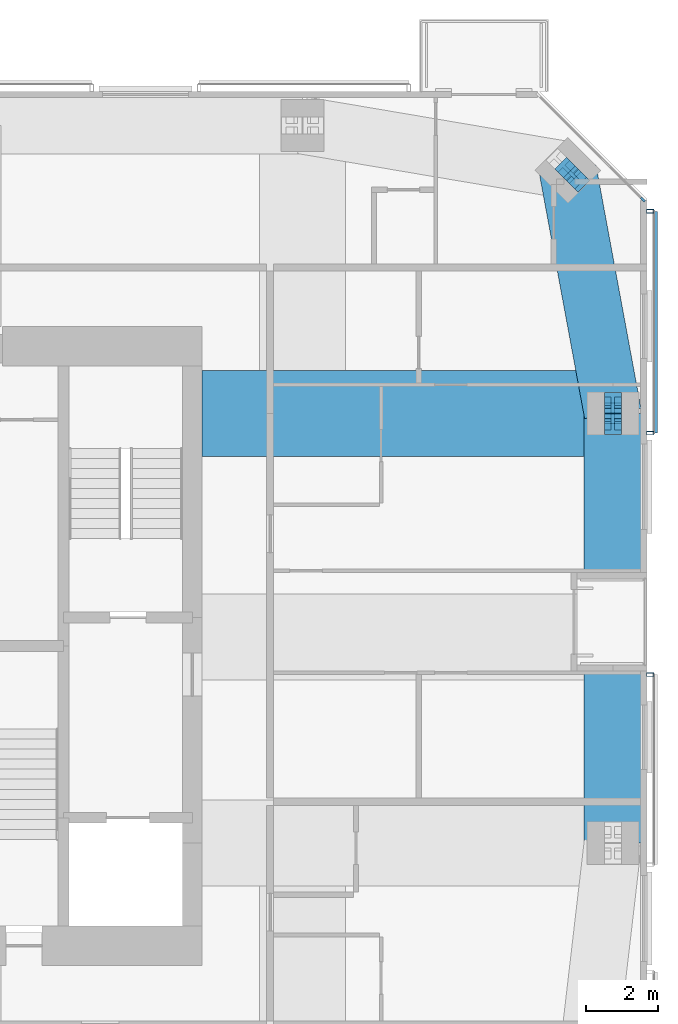
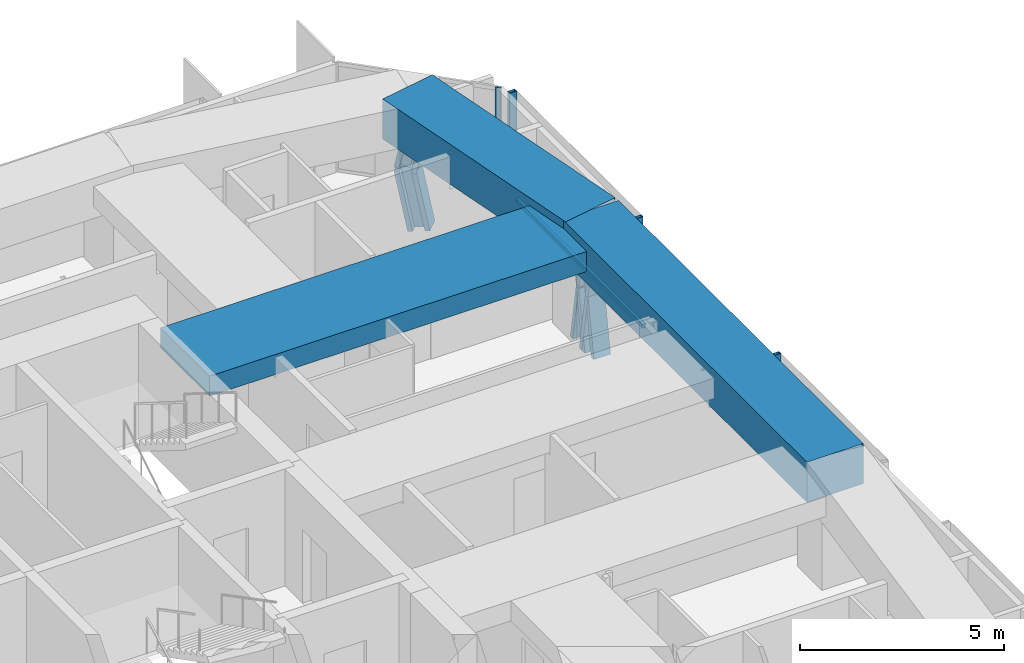
# One storey, part 9 of 20: 11 members, 3 beams, 3 elements without a shape of their own.
"""IFC4 building model written with IfcOpenShell, lengths in metres."""

from ifc_helpers import new_model, si_unit, direction, frame, origin, origin_2d, place, context, subcontext, project, spatial, rectangle, hollow_rectangle, i_section, extrude, material, material_profile, profile_set, type_object, element, aggregate, save


model = new_model("IFC4")

# Units and contexts
model_context = context("Model", 3, precision=1e-05, world=origin(), true_north=direction((0.0, 1.0)))
body_context = subcontext(model_context, "Body", "Model", "MODEL_VIEW")
ifc_project = project(units=[si_unit("LENGTHUNIT", "METRE"), si_unit("AREAUNIT", "SQUARE_METRE"), si_unit("VOLUMEUNIT", "CUBIC_METRE"), si_unit("PLANEANGLEUNIT", "RADIAN"), si_unit("MASSUNIT", "GRAM", prefix="KILO")], contexts=[model_context])

# Site, building, storey
site_placement = place(None, origin())
site = spatial("IfcSite", under=ifc_project, at=site_placement, CompositionType="ELEMENT")
building_placement = place(site_placement, origin())
building = spatial("IfcBuilding", under=site, at=building_placement, Name="Jalousie Tower", CompositionType="ELEMENT")
storey_placement = place(building_placement, frame((0.0, 0.0, 238.949951171875)))
storey = spatial("IfcBuildingStorey", under=building, at=storey_placement, Name="L65", CompositionType="ELEMENT", Elevation=238.949951171875)

# Curtain wall, member
ifc_material_1 = material(Name="Aluminium curtain wall", Category="aluminium")
curtain_wall_type_1 = type_object("IfcCurtainWallType", Name="CORNER WINDOW WALL", PredefinedType="USERDEFINED", material=ifc_material_1)
curtain_wall_1_placement = place(storey_placement, origin())
curtain_wall_1 = element("IfcCurtainWall", 1, at=curtain_wall_1_placement, inside=storey, type_object=curtain_wall_type_1, Name="Corner Window Wall L65 4", ObjectType="CORNER WINDOW WALL", PredefinedType="USERDEFINED")
ifc_material_2 = material(Name="Aluminium mullion", Category="aluminium")
ifc_material_profile_1 = material_profile(ifc_material_2, rectangle(XDim=0.06005859375, YDim=0.14990234375, at=origin_2d()), Name="MULLION 60x150")
ifc_profile_set_1 = profile_set([ifc_material_profile_1], Name="Aluminium mullion")
member_type_1 = type_object("IfcMemberType", Name="CORNER WINDOW WALL MULLION", PredefinedType="MULLION", material=ifc_profile_set_1)
member_1_placement = place(storey_placement, frame((56.391357421875, 30.969970703125, 0.0), z_axis=(0.0, 0.0, 1.0), x_axis=(-0.707106781187, -0.707106781187, 0.0)))
member_1 = element("IfcMember", 2, at=member_1_placement, type_object=member_type_1, Name="CW-C mullion 1", PredefinedType="MULLION", context=body_context, shape_type="SweptSolid", body=[
    extrude(rectangle(XDim=0.06005859375, YDim=0.14990234375, at=origin_2d()), origin(), (0.0, 0.0, 1.0), 3.260009765625),
])
aggregate(curtain_wall_1, [member_1])

# Members
ifc_material_3 = material(Name="Steel ASTM A992 Grade 50", Category="steel")
ifc_material_profile_2 = material_profile(ifc_material_3, i_section(OverallWidth=0.472412109375, OverallDepth=0.5791015625, WebThickness=0.094970703125, FlangeThickness=0.1298828125, at=origin_2d()), Name="W14X808")
ifc_profile_set_2 = profile_set([ifc_material_profile_2], Name="Steel ASTM A992 Grade 50")
member_type_2 = type_object("IfcMemberType", Name="PERIMETER BRACE W14X808", PredefinedType="BRACE", material=ifc_profile_set_2)
for number, where, z_axis, x_axis, name in (
    (3, (55.550048828125, 24.699951171875, -0.599853515625), (0.0, 0.168990530437, 0.98561767467), (-1.0, 0.0, 0.0), "Perimeter brace 07 L65 part 1"),
    (4, (55.550048828125, 25.0, 1.150146484375), (0.0, 0.168990530437, 0.98561767467), (-1.0, 0.0, 0.0), "Perimeter brace 07 L65 part 2"),
    (5, (55.550048828125, 25.300048828125, -0.599853515625), (0.0, -0.168990530437, 0.98561767467), (1.0, 0.0, 0.0), "Perimeter brace 07 L65 part 3"),
    (6, (55.550048828125, 25.0, 1.150146484375), (0.0, -0.168990530437, 0.98561767467), (1.0, 0.0, 0.0), "Perimeter brace 07 L65 part 4"),
):
    element("IfcMember", number, at=place(storey_placement, frame(where, z_axis=z_axis, x_axis=x_axis)), inside=storey, type_object=member_type_2, Name=name, PredefinedType="BRACE", context=body_context, shape_type="SweptSolid", body=[
        extrude(i_section(OverallWidth=0.472412109375, OverallDepth=0.5791015625, WebThickness=0.094970703125, FlangeThickness=0.1298828125, at=origin_2d()), origin(), (0.0, 0.0, 1.0), 1.775634765625),
    ])
for number, where, z_axis, x_axis, name in (
    (7, (54.540283203125, 31.54541015625, -0.599853515625), (-0.138579250682, 0.138716051522, 0.980588419435), (-0.707455539091, -0.706757851183, 0.0), "Perimeter brace 08 L65 part 1"),
    (8, (54.29296875, 31.79296875, 1.150146484375), (0.138579250682, -0.138716051522, 0.980588419435), (0.707455539091, 0.706757851183, 0.0), "Perimeter brace 08 L65 part 4"),
):
    element("IfcMember", number, at=place(storey_placement, frame(where, z_axis=z_axis, x_axis=x_axis)), inside=storey, type_object=member_type_2, Name=name, PredefinedType="BRACE", context=body_context, shape_type="SweptSolid", body=[
        extrude(i_section(OverallWidth=0.472412109375, OverallDepth=0.5791015625, WebThickness=0.094970703125, FlangeThickness=0.1298828125, at=origin_2d()), origin(), (0.0, 0.0, 1.0), 1.78466796875),
    ])

# Beams
ifc_material_4 = material(Name="Concrete f'c 40 MPa", Category="concrete")
ifc_material_profile_3 = material_profile(ifc_material_4, rectangle(XDim=1.60009765625, YDim=1.199951171875, at=origin_2d()), Name="RC 1600x1200")
ifc_profile_set_3 = profile_set([ifc_material_profile_3], Name="Concrete f'c 40 MPa")
beam_type_1 = type_object("IfcBeamType", Name="RC BEAM 1600x1200", PredefinedType="BEAM", material=ifc_profile_set_3)
beam_1_placement = place(storey_placement, frame((55.550048828125, 13.0, 2.900146484375), z_axis=(0.0, 1.0, 0.0), x_axis=(-1.0, 0.0, 0.0)))
element("IfcBeam", 9, at=beam_1_placement, inside=storey, type_object=beam_type_1, Name="Edge band beam 06-07 under L66", PredefinedType="BEAM", context=body_context, shape_type="SweptSolid", body=[
    extrude(rectangle(XDim=1.60009765625, YDim=1.199951171875, at=origin_2d()), origin(), (0.0, 0.0, 1.0), 12.0),
])
beam_2_placement = place(storey_placement, frame((55.550048828125, 25.0, 2.900146484375), z_axis=(-0.181966505593, 0.983304729391, 0.0), x_axis=(-0.983304729391, -0.181966505593, 0.0)))
element("IfcBeam", 10, at=beam_2_placement, inside=storey, type_object=beam_type_1, Name="Edge band beam 07-08 under L66", PredefinedType="BEAM", context=body_context, shape_type="SweptSolid", body=[
    extrude(rectangle(XDim=1.60009765625, YDim=1.199951171875, at=origin_2d()), origin(), (0.0, 0.0, 1.0), 6.908203125),
])
ifc_material_5 = material(Name="Concrete f'c 40 MPa", Category="concrete")
ifc_material_profile_4 = material_profile(ifc_material_5, rectangle(XDim=2.39990234375, YDim=0.60009765625, at=origin_2d()), Name="RC 2400x600")
ifc_profile_set_4 = profile_set([ifc_material_profile_4], Name="Concrete f'c 40 MPa")
beam_type_2 = type_object("IfcBeamType", Name="RC BEAM 2400x600", PredefinedType="BEAM", material=ifc_profile_set_4)
beam_3_placement = place(storey_placement, frame((55.550048828125, 25.0, 2.9599609375), z_axis=(-1.0, 0.0, 0.0), x_axis=(0.0, -1.0, 0.0)))
element("IfcBeam", 11, at=beam_3_placement, inside=storey, type_object=beam_type_2, Name="Floor band beam under L66", PredefinedType="BEAM", context=body_context, shape_type="SweptSolid", body=[
    extrude(rectangle(XDim=2.39990234375, YDim=0.60009765625, at=origin_2d()), origin(), (0.0, 0.0, 1.0), 11.47509765625),
])

# Curtain wall, member
ifc_material_6 = material(Name="Perforated aluminium sheet", Category="aluminium")
curtain_wall_type_2 = type_object("IfcCurtainWallType", Name="SOLAR SCREEN SS-2", PredefinedType="USERDEFINED", material=ifc_material_6)
curtain_wall_2_placement = place(storey_placement, origin())
curtain_wall_2 = element("IfcCurtainWall", 12, at=curtain_wall_2_placement, inside=storey, type_object=curtain_wall_type_2, Name="Solar screen L65", ObjectType="SOLAR SCREEN SS-2", PredefinedType="USERDEFINED")
ifc_material_7 = material(Name="Steel ASTM A500 Grade C", Category="steel")
ifc_material_profile_5 = material_profile(ifc_material_7, hollow_rectangle(XDim=0.1015625, YDim=0.203125, WallThickness=0.0078125, at=origin_2d()), Name="HSS8X4X5/16")
ifc_profile_set_5 = profile_set([ifc_material_profile_5], Name="Steel ASTM A500 Grade C")
member_type_3 = type_object("IfcMemberType", Name="SOLAR SCREEN SS-2 MULLION", PredefinedType="MULLION", material=ifc_profile_set_5)
member_2_placement = place(storey_placement, frame((56.5966796875, 17.699951171875, -0.119873046875), z_axis=(0.0, 0.0, 1.0), x_axis=(0.0, 1.0, 0.0)))
member_2 = element("IfcMember", 13, at=member_2_placement, type_object=member_type_3, Name="SS2 post 2", PredefinedType="MULLION", context=body_context, shape_type="SweptSolid", body=[
    extrude(hollow_rectangle(XDim=0.1015625, YDim=0.203125, WallThickness=0.0078125, at=origin_2d()), origin(), (0.0, 0.0, 1.0), 3.3798828125),
])
aggregate(curtain_wall_2, [member_2])

# Curtain wall, members
curtain_wall_3_placement = place(storey_placement, origin())
curtain_wall_3 = element("IfcCurtainWall", 14, at=curtain_wall_3_placement, inside=storey, type_object=curtain_wall_type_2, Name="Solar screen L65", ObjectType="SOLAR SCREEN SS-2", PredefinedType="USERDEFINED")
member_3_placement = place(storey_placement, frame((56.5966796875, 24.449951171875, -0.119873046875), z_axis=(0.0, 0.0, 1.0), x_axis=(0.0, 1.0, 0.0)))
member_3 = element("IfcMember", 15, at=member_3_placement, type_object=member_type_3, Name="SS2 post 1", PredefinedType="MULLION", context=body_context, shape_type="SweptSolid", body=[
    extrude(hollow_rectangle(XDim=0.1015625, YDim=0.203125, WallThickness=0.0078125, at=origin_2d()), origin(), (0.0, 0.0, 1.0), 3.3798828125),
])
member_4_placement = place(storey_placement, frame((56.5966796875, 30.648681640625, -0.119873046875), z_axis=(0.0, 0.0, 1.0), x_axis=(0.0, 1.0, 0.0)))
member_4 = element("IfcMember", 16, at=member_4_placement, type_object=member_type_3, Name="SS2 post 2", PredefinedType="MULLION", context=body_context, shape_type="SweptSolid", body=[
    extrude(hollow_rectangle(XDim=0.1015625, YDim=0.203125, WallThickness=0.0078125, at=origin_2d()), origin(), (0.0, 0.0, 1.0), 3.3798828125),
])
ifc_material_8 = material(Name="Extruded aluminium screen rail", Category="aluminium")
ifc_material_profile_6 = material_profile(ifc_material_8, rectangle(XDim=0.1015625, YDim=0.1201171875, at=origin_2d()), Name="RAIL 102x120")
ifc_profile_set_6 = profile_set([ifc_material_profile_6], Name="Extruded aluminium screen rail")
member_type_4 = type_object("IfcMemberType", Name="SOLAR SCREEN SS-2 TRANSOM", PredefinedType="USERDEFINED", material=ifc_profile_set_6)
member_5_placement = place(storey_placement, frame((56.7490234375, 24.449951171875, -0.06005859375), z_axis=(0.0, 1.0, 0.0), x_axis=(-1.0, 0.0, 0.0)))
member_5 = element("IfcMember", 17, at=member_5_placement, type_object=member_type_4, Name="SS2 rail", ObjectType="TRANSOM", PredefinedType="USERDEFINED", context=body_context, shape_type="SweptSolid", body=[
    extrude(rectangle(XDim=0.1015625, YDim=0.1201171875, at=origin_2d()), origin(), (0.0, 0.0, 1.0), 6.19873046875),
])
aggregate(curtain_wall_3, [member_3, member_4, member_5])

save(model, "model.ifc")
